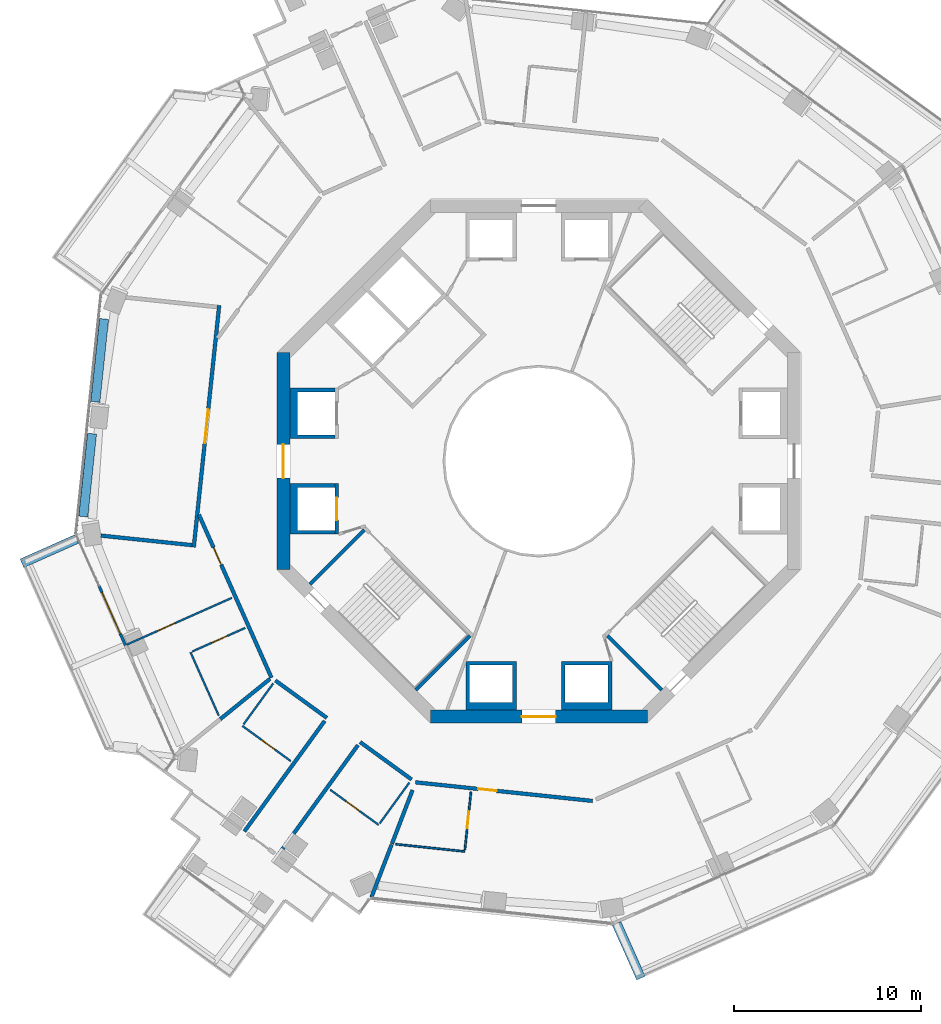
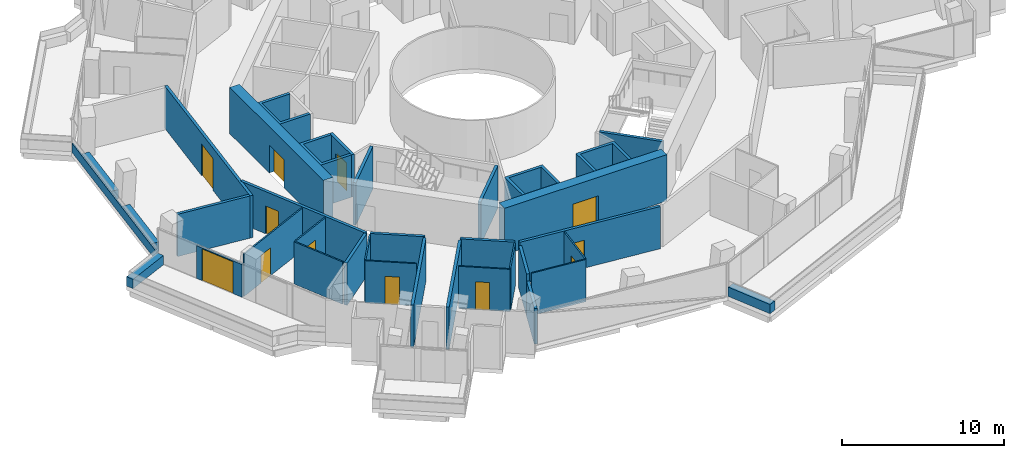
# One storey, part 16 of 23: 36 walls, 12 doors, 12 openings.
"""IFC4 building model written with IfcOpenShell, lengths in metres."""

from ifc_helpers import new_model, si_unit, direction, frame, frame_2d, origin, place, context, subcontext, project, spatial, polyline, rectangle, outline, extrude, material, layer, layer_set, type_object, element, fill, save


model = new_model("IFC4")

# Units and contexts
model_context = context("Model", 3, precision=1e-05, world=origin(), true_north=direction((0.0, 1.0)))
body_context = subcontext(model_context, "Body", "Model", "MODEL_VIEW")
ifc_project = project(units=[si_unit("LENGTHUNIT", "METRE"), si_unit("AREAUNIT", "SQUARE_METRE"), si_unit("VOLUMEUNIT", "CUBIC_METRE"), si_unit("PLANEANGLEUNIT", "RADIAN"), si_unit("MASSUNIT", "GRAM", prefix="KILO")], contexts=[model_context])

# Site, building, storey
site_placement = place(None, origin())
site = spatial("IfcSite", under=ifc_project, at=site_placement, CompositionType="ELEMENT")
building_placement = place(site_placement, origin())
building = spatial("IfcBuilding", under=site, at=building_placement, Name="Verdalira Terraces Hotel", CompositionType="ELEMENT")
storey_placement = place(building_placement, frame((0.0, 0.0, 133.0)))
storey = spatial("IfcBuildingStorey", under=building, at=storey_placement, Name="L31", CompositionType="ELEMENT", Elevation=133.0)

# Walls
ifc_material_1 = material(Name="Concrete C40", Category="concrete")
ifc_layer_1 = layer(ifc_material_1, 0.5)
ifc_layer_set_1 = layer_set([ifc_layer_1], Name="Balcony planter trough with tree")
wall_type_1 = type_object("IfcWallType", Name="Balcony planter trough with tree", PredefinedType="SOLIDWALL", material=ifc_layer_set_1)
for number, where, z_axis, x_axis, name in (
    (1, (-24.704102, -4.157471, 0.0), (0.0, 0.0, 1.0), (-0.913528084, -0.406775663, 0.0), "Balcony planter"),
    (2, (4.157471, -24.704102, 0.0), (0.0, 0.0, 1.0), (0.406775663, -0.913528084, 0.0), "Balcony planter"),
):
    element("IfcWall", number, at=place(storey_placement, frame(where, z_axis=z_axis, x_axis=x_axis)), inside=storey, type_object=wall_type_1, Name=name, PredefinedType="SOLIDWALL", context=body_context, shape_type="SweptSolid", body=[
        extrude(rectangle(XDim=3.198975, YDim=0.5, at=frame_2d((1.599609, 0.0))), origin(), (0.0, 0.0, 1.0), 0.699951),
    ])

# Wall, opening, door
ifc_material_2 = material(Name="Moisture-resistant gypsum board partition")
ifc_layer_2 = layer(ifc_material_2, 0.10009765625)
ifc_layer_set_2 = layer_set([ifc_layer_2], Name="Bathroom partition 100 mm")
wall_type_2 = type_object("IfcWallType", Name="Bathroom partition 100 mm", PredefinedType="PARTITIONING", material=ifc_layer_set_2)
wall_1_placement = place(storey_placement, frame((-16.405762, -7.304199, 0.0), z_axis=(0.0, 0.0, 1.0), x_axis=(-0.913546162, -0.406735062, 0.0)))
wall_1 = element("IfcWall", 3, at=wall_1_placement, inside=storey, type_object=wall_type_2, Name="Bathroom partition", PredefinedType="PARTITIONING", context=body_context, shape_type="SweptSolid", body=[
    extrude(rectangle(XDim=6.150146, YDim=0.100098, at=frame_2d((3.075195, 0.0))), origin(), (0.0, 0.0, 1.0), 3.189941),
])
opening_1_placement = place(wall_1_placement, frame((3.350098, 0.0, 0.0)))
opening_1 = element("IfcOpeningElement", 4, at=opening_1_placement, cuts=wall_1, Name="Opening L31-110", PredefinedType="OPENING", context=body_context, shape_type="SweptSolid", body=[
    extrude(rectangle(XDim=1.0, YDim=2.100098, at=frame_2d((0.5, 1.050049))), frame((0.0, 0.060059, 0.0), z_axis=(0.0, -1.0, 0.0), x_axis=(1.0, 0.0, 0.0)), (0.0, 0.0, 1.0), 0.120117),
])
ifc_material_3 = material(Name="Timber door", Category="wood")
door_type_1 = type_object("IfcDoorType", Name="Suite internal door 1000 x 2100", OperationType="NOTDEFINED", PredefinedType="DOOR", material=ifc_material_3)
door_1_placement = place(opening_1_placement, origin())
door_1 = element("IfcDoor", 5, at=door_1_placement, inside=storey, type_object=door_type_1, Name="Suite internal door 3104", OperationType="SINGLE_SWING_LEFT", OverallHeight=2.10009765625, OverallWidth=1.0, PredefinedType="DOOR", context=body_context, shape_type="SweptSolid", body=[
    extrude(rectangle(XDim=1.0, YDim=2.100098, at=frame_2d((0.5, 1.050049))), frame((0.0, 0.024902, 0.0), z_axis=(0.0, -1.0, 0.0), x_axis=(1.0, 0.0, 0.0)), (0.0, 0.0, 1.0), 0.050049),
])
fill(opening_1, door_1)

# Wall
wall_2_placement = place(storey_placement, frame((-18.614014, -10.212158, 0.0), z_axis=(0.0, 0.0, 1.0), x_axis=(0.406743817, -0.913542263, 0.0)))
element("IfcWall", 6, at=wall_2_placement, inside=storey, type_object=wall_type_2, Name="Bathroom partition", PredefinedType="PARTITIONING", context=body_context, shape_type="SweptSolid", body=[
    extrude(rectangle(XDim=3.704102, YDim=0.100098, at=frame_2d((1.852051, 0.0))), origin(), (0.0, 0.0, 1.0), 3.189941),
])

# Wall, opening, door
wall_3_placement = place(storey_placement, frame((-15.690674, -8.910645, 0.0), z_axis=(0.0, 0.0, 1.0), x_axis=(-0.913564558, -0.40669374, 0.0)))
wall_3 = element("IfcWall", 7, at=wall_3_placement, inside=storey, type_object=wall_type_2, Name="Bathroom partition", PredefinedType="PARTITIONING", context=body_context, shape_type="SweptSolid", body=[
    extrude(rectangle(XDim=3.100098, YDim=0.100098, at=frame_2d((1.550049, 0.0))), origin(), (0.0, 0.0, 1.0), 3.189941),
])
opening_2_placement = place(wall_3_placement, frame((1.050049, 0.0, 0.0)))
opening_2 = element("IfcOpeningElement", 8, at=opening_2_placement, cuts=wall_3, Name="Opening L31-111", PredefinedType="OPENING", context=body_context, shape_type="SweptSolid", body=[
    extrude(rectangle(XDim=0.899902, YDim=2.100098, at=frame_2d((0.449951, 1.050049))), frame((0.0, 0.060059, 0.0), z_axis=(0.0, -1.0, 0.0), x_axis=(1.0, 0.0, 0.0)), (0.0, 0.0, 1.0), 0.120117),
])
ifc_material_4 = material(Name="Timber door", Category="wood")
door_type_2 = type_object("IfcDoorType", Name="Bathroom door 900 x 2100", OperationType="NOTDEFINED", PredefinedType="DOOR", material=ifc_material_4)
door_2_placement = place(opening_2_placement, origin())
door_2 = element("IfcDoor", 9, at=door_2_placement, inside=storey, type_object=door_type_2, Name="Bathroom door 3104", OperationType="SINGLE_SWING_RIGHT", OverallHeight=2.10009765625, OverallWidth=0.89990234375, PredefinedType="DOOR", context=body_context, shape_type="SweptSolid", body=[
    extrude(rectangle(XDim=0.899902, YDim=2.100098, at=frame_2d((0.449951, 1.050049))), frame((0.0, 0.024902, 0.0), z_axis=(0.0, -1.0, 0.0), x_axis=(1.0, 0.0, 0.0)), (0.0, 0.0, 1.0), 0.050049),
])
fill(opening_2, door_2)

# Wall
wall_4_placement = place(storey_placement, frame((-14.196289, -11.883545, 0.0), z_axis=(0.0, 0.0, 1.0), x_axis=(-0.587762999, -0.809033162, 0.0)))
element("IfcWall", 10, at=wall_4_placement, inside=storey, type_object=wall_type_2, Name="Bathroom partition", PredefinedType="PARTITIONING", context=body_context, shape_type="SweptSolid", body=[
    extrude(rectangle(XDim=2.699951, YDim=0.100098, at=frame_2d((1.350098, 0.0))), origin(), (0.0, 0.0, 1.0), 3.189941),
])

# Wall, opening, door
wall_5_placement = place(storey_placement, frame((-15.842041, -14.148682, 0.0), z_axis=(0.0, 0.0, 1.0), x_axis=(0.808990037, -0.587822354, 0.0)))
wall_5 = element("IfcWall", 11, at=wall_5_placement, inside=storey, type_object=wall_type_2, Name="Bathroom partition", PredefinedType="PARTITIONING", context=body_context, shape_type="SweptSolid", body=[
    extrude(rectangle(XDim=3.200195, YDim=0.100098, at=frame_2d((1.600098, 0.0))), origin(), (0.0, 0.0, 1.0), 3.189941),
])
opening_3_placement = place(wall_5_placement, frame((1.25, 0.0, 0.0)))
opening_3 = element("IfcOpeningElement", 12, at=opening_3_placement, cuts=wall_5, Name="Opening L31-115", PredefinedType="OPENING", context=body_context, shape_type="SweptSolid", body=[
    extrude(rectangle(XDim=0.899902, YDim=2.100098, at=frame_2d((0.449951, 1.050049))), frame((0.0, 0.060059, 0.0), z_axis=(0.0, -1.0, 0.0), x_axis=(1.0, 0.0, 0.0)), (0.0, 0.0, 1.0), 0.120117),
])
door_3_placement = place(opening_3_placement, origin())
door_3 = element("IfcDoor", 13, at=door_3_placement, inside=storey, type_object=door_type_2, Name="Bathroom door 3105", OperationType="SINGLE_SWING_LEFT", OverallHeight=2.10009765625, OverallWidth=0.89990234375, PredefinedType="DOOR", context=body_context, shape_type="SweptSolid", body=[
    extrude(rectangle(XDim=0.899902, YDim=2.100098, at=frame_2d((0.449951, 1.050049))), frame((0.0, 0.024902, 0.0), z_axis=(0.0, -1.0, 0.0), x_axis=(1.0, 0.0, 0.0)), (0.0, 0.0, 1.0), 0.050049),
])
fill(opening_3, door_3)

wall_6_placement = place(storey_placement, frame((-11.149658, -17.558105, 0.0), z_axis=(0.0, 0.0, 1.0), x_axis=(0.809026317, -0.58777242, 0.0)))
wall_6 = element("IfcWall", 14, at=wall_6_placement, inside=storey, type_object=wall_type_2, Name="Bathroom partition", PredefinedType="PARTITIONING", context=body_context, shape_type="SweptSolid", body=[
    extrude(rectangle(XDim=3.199951, YDim=0.100098, at=frame_2d((1.600098, 0.0))), origin(), (0.0, 0.0, 1.0), 3.189941),
])
opening_4_placement = place(wall_6_placement, frame((1.050049, 0.0, 0.0)))
opening_4 = element("IfcOpeningElement", 15, at=opening_4_placement, cuts=wall_6, Name="Opening L31-116", PredefinedType="OPENING", context=body_context, shape_type="SweptSolid", body=[
    extrude(rectangle(XDim=0.899902, YDim=2.100098, at=frame_2d((0.449951, 1.050049))), frame((0.0, 0.060059, 0.0), z_axis=(0.0, -1.0, 0.0), x_axis=(1.0, 0.0, 0.0)), (0.0, 0.0, 1.0), 0.120117),
])
door_4_placement = place(opening_4_placement, origin())
door_4 = element("IfcDoor", 16, at=door_4_placement, inside=storey, type_object=door_type_2, Name="Bathroom door 3105", OperationType="SINGLE_SWING_RIGHT", OverallHeight=2.10009765625, OverallWidth=0.89990234375, PredefinedType="DOOR", context=body_context, shape_type="SweptSolid", body=[
    extrude(rectangle(XDim=0.899902, YDim=2.100098, at=frame_2d((0.449951, 1.050049))), frame((0.0, 0.024902, 0.0), z_axis=(0.0, -1.0, 0.0), x_axis=(1.0, 0.0, 0.0)), (0.0, 0.0, 1.0), 0.050049),
])
fill(opening_4, door_4)

# Walls
wall_7_placement = place(storey_placement, frame((-8.502197, -19.35791, 0.0), z_axis=(0.0, 0.0, 1.0), x_axis=(0.587822181, 0.808990163, 0.0)))
element("IfcWall", 17, at=wall_7_placement, inside=storey, type_object=wall_type_2, Name="Bathroom partition", PredefinedType="PARTITIONING", context=body_context, shape_type="SweptSolid", body=[
    extrude(rectangle(XDim=2.699951, YDim=0.100098, at=frame_2d((1.350098, 0.0))), origin(), (0.0, 0.0, 1.0), 3.189941),
])
wall_8_placement = place(storey_placement, frame((-3.960205, -20.858643, 0.0), z_axis=(0.0, 0.0, 1.0), x_axis=(-0.994521332, 0.104533822, 0.0)))
element("IfcWall", 18, at=wall_8_placement, inside=storey, type_object=wall_type_2, Name="Bathroom partition", PredefinedType="PARTITIONING", context=body_context, shape_type="SweptSolid", body=[
    extrude(rectangle(XDim=3.704102, YDim=0.100098, at=frame_2d((1.852051, 0.0))), origin(), (0.0, 0.0, 1.0), 3.189941),
])

# Wall, opening, door
wall_9_placement = place(storey_placement, frame((-3.949951, -20.759277, 0.0), z_axis=(0.0, 0.0, 1.0), x_axis=(0.1045085, 0.994523993, 0.0)))
wall_9 = element("IfcWall", 19, at=wall_9_placement, inside=storey, type_object=wall_type_2, Name="Bathroom partition", PredefinedType="PARTITIONING", context=body_context, shape_type="SweptSolid", body=[
    extrude(rectangle(XDim=3.100098, YDim=0.100098, at=frame_2d((1.550049, 0.0))), origin(), (0.0, 0.0, 1.0), 3.189941),
])
opening_5_placement = place(wall_9_placement, frame((1.149902, 0.0, 0.0)))
opening_5 = element("IfcOpeningElement", 20, at=opening_5_placement, cuts=wall_9, Name="Opening L31-118", PredefinedType="OPENING", context=body_context, shape_type="SweptSolid", body=[
    extrude(rectangle(XDim=0.899902, YDim=2.100098, at=frame_2d((0.449951, 1.050049))), frame((0.0, 0.060059, 0.0), z_axis=(0.0, -1.0, 0.0), x_axis=(1.0, 0.0, 0.0)), (0.0, 0.0, 1.0), 0.120117),
])
door_5_placement = place(opening_5_placement, origin())
door_5 = element("IfcDoor", 21, at=door_5_placement, inside=storey, type_object=door_type_2, Name="Bathroom door 3106", OperationType="SINGLE_SWING_LEFT", OverallHeight=2.10009765625, OverallWidth=0.89990234375, PredefinedType="DOOR", context=body_context, shape_type="SweptSolid", body=[
    extrude(rectangle(XDim=0.899902, YDim=2.100098, at=frame_2d((0.449951, 1.050049))), frame((0.0, 0.024902, 0.0), z_axis=(0.0, -1.0, 0.0), x_axis=(1.0, 0.0, 0.0)), (0.0, 0.0, 1.0), 0.050049),
])
fill(opening_5, door_5)

# Walls
ifc_material_5 = material(Name="Concrete C50", Category="concrete")
ifc_layer_3 = layer(ifc_material_5, 0.199951171875)
ifc_layer_set_3 = layer_set([ifc_layer_3], Name="Core RC wall 200 C50")
wall_type_3 = type_object("IfcWallType", Name="Core RC wall 200 C50", PredefinedType="SOLIDWALL", material=ifc_layer_set_3)
wall_10_placement = place(storey_placement, origin())
element("IfcWall", 22, at=wall_10_placement, inside=storey, type_object=wall_type_3, Name="L31 shaft wall W1", PredefinedType="SOLIDWALL", context=body_context, shape_type="SweptSolid", body=[
    extrude(outline(polyline([(-13.300049, 3.899902), (-10.899902, 3.899902), (-10.899902, 3.699951), (-12.899902, 3.699951), (-12.899902, 1.399902), (-10.899902, 1.399902), (-10.899902, 1.199951), (-13.300049, 1.199951), (-13.300049, 3.899902)])), origin(), (0.0, 0.0, 1.0), 3.189941),
])
wall_11_placement = place(storey_placement, origin())
element("IfcWall", 23, at=wall_11_placement, inside=storey, type_object=wall_type_3, Name="L31 shaft wall W2", PredefinedType="SOLIDWALL", context=body_context, shape_type="SweptSolid", body=[
    extrude(outline(polyline([(-13.300049, -3.899902), (-13.300049, -1.199951), (-10.899902, -1.199951), (-10.899902, -1.399902), (-12.899902, -1.399902), (-12.899902, -3.699951), (-10.899902, -3.699951), (-10.899902, -3.899902), (-13.300049, -3.899902)])), origin(), (0.0, 0.0, 1.0), 3.189941),
])

# Wall, opening, door
wall_12_placement = place(storey_placement, frame((-10.800049, -1.199951, 0.0), z_axis=(0.0, 0.0, 1.0), x_axis=(0.0, -1.0, 0.0)))
wall_12 = element("IfcWall", 24, at=wall_12_placement, inside=storey, type_object=wall_type_3, Name="L31 shaft front wall W2", PredefinedType="SOLIDWALL", context=body_context, shape_type="SweptSolid", body=[
    extrude(rectangle(XDim=2.699951, YDim=0.199951, at=frame_2d((1.350098, 0.0))), origin(), (0.0, 0.0, 1.0), 3.189941),
])
opening_6_placement = place(wall_12_placement, frame((0.75, 0.0, 0.0)))
opening_6 = element("IfcOpeningElement", 25, at=opening_6_placement, cuts=wall_12, Name="Opening LD-L31-806", PredefinedType="OPENING", context=body_context, shape_type="SweptSolid", body=[
    extrude(rectangle(XDim=1.199951, YDim=2.100098, at=frame_2d((0.600098, 1.050049))), frame((0.0, 0.109863, 0.0), z_axis=(0.0, -1.0, 0.0), x_axis=(1.0, 0.0, 0.0)), (0.0, 0.0, 1.0), 0.219971),
])
ifc_material_6 = material(Name="Stainless steel", Category="steel")
door_type_3 = type_object("IfcDoorType", Name="Landing door 1200 x 2100", OperationType="NOTDEFINED", PredefinedType="DOOR", material=ifc_material_6)
door_6_placement = place(opening_6_placement, origin())
door_6 = element("IfcDoor", 26, at=door_6_placement, inside=storey, type_object=door_type_3, Name="Lift landing door LR6 L31", OperationType="DOUBLE_DOOR_SLIDING", OverallHeight=2.10009765625, OverallWidth=1.199951171875, PredefinedType="DOOR", context=body_context, shape_type="SweptSolid", body=[
    extrude(rectangle(XDim=1.199951, YDim=2.100098, at=frame_2d((0.600098, 1.050049))), frame((0.0, 0.024902, 0.0), z_axis=(0.0, -1.0, 0.0), x_axis=(1.0, 0.0, 0.0)), (0.0, 0.0, 1.0), 0.050049),
])
fill(opening_6, door_6)

# Walls
wall_13_placement = place(storey_placement, origin())
element("IfcWall", 27, at=wall_13_placement, inside=storey, type_object=wall_type_3, Name="L31 shaft wall S1", PredefinedType="SOLIDWALL", context=body_context, shape_type="SweptSolid", body=[
    extrude(outline(polyline([(-1.199951, -13.300049), (-3.899902, -13.300049), (-3.899902, -10.699951), (-1.199951, -10.699951), (-1.199951, -13.300049)]), holes=[polyline([(-3.699951, -10.899902), (-3.699951, -12.899902), (-1.399902, -12.899902), (-1.399902, -10.899902), (-3.699951, -10.899902)])]), origin(), (0.0, 0.0, 1.0), 3.189941),
])
wall_14_placement = place(storey_placement, origin())
element("IfcWall", 28, at=wall_14_placement, inside=storey, type_object=wall_type_3, Name="L31 shaft wall S2", PredefinedType="SOLIDWALL", context=body_context, shape_type="SweptSolid", body=[
    extrude(outline(polyline([(3.899902, -10.699951), (3.899902, -13.300049), (1.199951, -13.300049), (1.199951, -10.699951), (3.899902, -10.699951)]), holes=[polyline([(1.399902, -12.899902), (3.699951, -12.899902), (3.699951, -10.899902), (1.399902, -10.899902), (1.399902, -12.899902)])]), origin(), (0.0, 0.0, 1.0), 3.189941),
])
for number, where, z_axis, x_axis, name in (
    (29, (-9.33374, -3.677002, 0.0), (0.0, 0.0, 1.0), (-0.707106781, -0.707106781, 0.0), "L31 stair ST2 end wall 1"),
    (30, (-3.677002, -9.33374, 0.0), (0.0, 0.0, 1.0), (-0.707106781, -0.707106781, 0.0), "L31 stair ST2 end wall 2"),
    (31, (3.677002, -9.33374, 0.0), (0.0, 0.0, 1.0), (0.707106781, -0.707106781, 0.0), "L31 stair ST3 end wall 1"),
):
    element("IfcWall", number, at=place(storey_placement, frame(where, z_axis=z_axis, x_axis=x_axis)), inside=storey, type_object=wall_type_3, Name=name, PredefinedType="SOLIDWALL", context=body_context, shape_type="SweptSolid", body=[
        extrude(rectangle(XDim=4.100098, YDim=0.199951, at=frame_2d((2.050049, 0.0))), origin(), (0.0, 0.0, 1.0), 3.189941),
    ])

# Wall, opening, door
ifc_material_7 = material(Name="Concrete C60", Category="concrete")
ifc_layer_4 = layer(ifc_material_7, 0.699951171875)
ifc_layer_set_4 = layer_set([ifc_layer_4], Name="Core wall 700 C60")
wall_type_4 = type_object("IfcWallType", Name="Core wall 700 C60", PredefinedType="SHEAR", material=ifc_layer_set_4)
wall_15_placement = place(storey_placement, frame((-13.649902, 5.799072, 0.0), z_axis=(0.0, 0.0, 1.0), x_axis=(0.0, -1.0, 0.0)))
wall_15 = element("IfcWall", 32, at=wall_15_placement, inside=storey, type_object=wall_type_4, Name="Core wall CW-L31-5", PredefinedType="SHEAR", context=body_context, shape_type="SweptSolid", body=[
    extrude(rectangle(XDim=11.598145, YDim=0.699951, at=frame_2d((5.799072, 0.0))), origin(), (0.0, 0.0, 1.0), 3.5),
])
opening_7_placement = place(wall_15_placement, frame((4.898926, 0.0, 0.0)))
opening_7 = element("IfcOpeningElement", 33, at=opening_7_placement, cuts=wall_15, Name="Opening L31-814", PredefinedType="OPENING", context=body_context, shape_type="SweptSolid", body=[
    extrude(rectangle(XDim=1.800049, YDim=2.100098, at=frame_2d((0.899902, 1.050049))), frame((0.0, 0.359863, 0.0), z_axis=(0.0, -1.0, 0.0), x_axis=(1.0, 0.0, 0.0)), (0.0, 0.0, 1.0), 0.719971),
])
ifc_material_8 = material(Name="Steel fire door", Category="steel")
door_type_4 = type_object("IfcDoorType", Name="Core entry door pair 1800 x 2100", OperationType="NOTDEFINED", PredefinedType="DOOR", material=ifc_material_8)
door_7_placement = place(opening_7_placement, origin())
door_7 = element("IfcDoor", 34, at=door_7_placement, inside=storey, type_object=door_type_4, Name="Core entry door L31 4", OperationType="DOUBLE_DOOR_SINGLE_SWING", OverallHeight=2.10009765625, OverallWidth=1.800048828125, PredefinedType="DOOR", context=body_context, shape_type="SweptSolid", body=[
    extrude(rectangle(XDim=1.800049, YDim=2.100098, at=frame_2d((0.899902, 1.050049))), frame((0.0, 0.024902, 0.0), z_axis=(0.0, -1.0, 0.0), x_axis=(1.0, 0.0, 0.0)), (0.0, 0.0, 1.0), 0.050049),
])
fill(opening_7, door_7)

wall_16_placement = place(storey_placement, frame((-5.799072, -13.649902, 0.0), z_axis=(0.0, 0.0, 1.0), x_axis=(1.0, 0.0, 0.0)))
wall_16 = element("IfcWall", 35, at=wall_16_placement, inside=storey, type_object=wall_type_4, Name="Core wall CW-L31-7", PredefinedType="SHEAR", context=body_context, shape_type="SweptSolid", body=[
    extrude(rectangle(XDim=11.598145, YDim=0.699951, at=frame_2d((5.799072, 0.0))), origin(), (0.0, 0.0, 1.0), 3.5),
])
opening_8_placement = place(wall_16_placement, frame((4.898926, 0.0, 0.0)))
opening_8 = element("IfcOpeningElement", 36, at=opening_8_placement, cuts=wall_16, Name="Opening L31-815", PredefinedType="OPENING", context=body_context, shape_type="SweptSolid", body=[
    extrude(rectangle(XDim=1.800049, YDim=2.100098, at=frame_2d((0.899902, 1.050049))), frame((0.0, 0.359863, 0.0), z_axis=(0.0, -1.0, 0.0), x_axis=(1.0, 0.0, 0.0)), (0.0, 0.0, 1.0), 0.719971),
])
door_8_placement = place(opening_8_placement, origin())
door_8 = element("IfcDoor", 37, at=door_8_placement, inside=storey, type_object=door_type_4, Name="Core entry door L31 6", OperationType="DOUBLE_DOOR_SINGLE_SWING", OverallHeight=2.10009765625, OverallWidth=1.800048828125, PredefinedType="DOOR", context=body_context, shape_type="SweptSolid", body=[
    extrude(rectangle(XDim=1.800049, YDim=2.100098, at=frame_2d((0.899902, 1.050049))), frame((0.0, 0.024902, 0.0), z_axis=(0.0, -1.0, 0.0), x_axis=(1.0, 0.0, 0.0)), (0.0, 0.0, 1.0), 0.050049),
])
fill(opening_8, door_8)

# Walls
ifc_material_9 = material(Name="Fire-rated gypsum board wall")
ifc_layer_5 = layer(ifc_material_9, 0.199951171875)
ifc_layer_set_5 = layer_set([ifc_layer_5], Name="Demising wall 200 mm")
wall_type_5 = type_object("IfcWallType", Name="Demising wall 200 mm", PredefinedType="SOLIDWALL", material=ifc_layer_set_5)
wall_17_placement = place(storey_placement, frame((-14.368164, -11.63501, 0.0), z_axis=(0.0, 0.0, 1.0), x_axis=(-0.777125039, -0.629346227, 0.0)))
element("IfcWall", 38, at=wall_17_placement, inside=storey, type_object=wall_type_5, Name="Demising wall", PredefinedType="SOLIDWALL", context=body_context, shape_type="SweptSolid", body=[
    extrude(rectangle(XDim=3.416504, YDim=0.199951, at=frame_2d((1.708252, 0.0))), origin(), (0.0, 0.0, 1.0), 3.189941),
])
wall_18_placement = place(storey_placement, frame((-6.748779, -17.581299, 0.0), z_axis=(0.0, 0.0, 1.0), x_axis=(-0.358361758, -0.933582803, 0.0)))
element("IfcWall", 39, at=wall_18_placement, inside=storey, type_object=wall_type_5, Name="Demising wall", PredefinedType="SOLIDWALL", context=body_context, shape_type="SweptSolid", body=[
    extrude(rectangle(XDim=3.074463, YDim=0.199951, at=frame_2d((1.537109, 0.0))), origin(), (0.0, 0.0, 1.0), 3.189941),
])
ifc_material_10 = material(Name="Fire-rated gypsum board wall")
ifc_layer_6 = layer(ifc_material_10, 0.199951171875)
ifc_layer_set_6 = layer_set([ifc_layer_6], Name="Demising wall 200 mm to beam soffit")
wall_type_6 = type_object("IfcWallType", Name="Demising wall 200 mm to beam soffit", PredefinedType="SOLIDWALL", material=ifc_layer_set_6)
wall_19_placement = place(storey_placement, frame((-7.867188, -20.494629, 0.0), z_axis=(0.0, 0.0, 1.0), x_axis=(-0.358354215, -0.933585699, 0.0)))
element("IfcWall", 40, at=wall_19_placement, inside=storey, type_object=wall_type_6, Name="Demising wall", PredefinedType="SOLIDWALL", context=body_context, shape_type="SweptSolid", body=[
    extrude(rectangle(XDim=3.01123, YDim=0.199951, at=frame_2d((1.505615, 0.0))), origin(), (0.0, 0.0, 1.0), 2.689941),
])

# Wall, opening, door
ifc_material_11 = material(Name="Fire-rated gypsum board wall")
ifc_layer_7 = layer(ifc_material_11, 0.199951171875)
ifc_layer_set_7 = layer_set([ifc_layer_7], Name="Guest corridor wall 200 mm")
wall_type_7 = type_object("IfcWallType", Name="Guest corridor wall 200 mm", PredefinedType="SOLIDWALL", material=ifc_layer_set_7)
wall_20_placement = place(storey_placement, frame((-14.287598, -11.569824, 0.0), z_axis=(0.0, 0.0, 1.0), x_axis=(-0.40673695, 0.913545321, 0.0)))
wall_20 = element("IfcWall", 41, at=wall_20_placement, inside=storey, type_object=wall_type_7, Name="Guest corridor wall", PredefinedType="SOLIDWALL", context=body_context, shape_type="SweptSolid", body=[
    extrude(rectangle(XDim=9.536621, YDim=0.199951, at=frame_2d((4.768311, 0.0))), origin(), (0.0, 0.0, 1.0), 3.189941),
])
opening_9_placement = place(wall_20_placement, frame((6.608398, 0.0, 0.0)))
opening_9 = element("IfcOpeningElement", 42, at=opening_9_placement, cuts=wall_20, Name="Opening L31-109", PredefinedType="OPENING", context=body_context, shape_type="SweptSolid", body=[
    extrude(rectangle(XDim=1.0, YDim=2.100098, at=frame_2d((0.5, 1.050049))), frame((0.0, 0.109863, 0.0), z_axis=(0.0, -1.0, 0.0), x_axis=(1.0, 0.0, 0.0)), (0.0, 0.0, 1.0), 0.219971),
])
ifc_material_12 = material(Name="Timber fire door", Category="wood")
door_type_5 = type_object("IfcDoorType", Name="Guest entry door 1000 x 2100", OperationType="NOTDEFINED", PredefinedType="DOOR", material=ifc_material_12)
door_9_placement = place(opening_9_placement, origin())
door_9 = element("IfcDoor", 43, at=door_9_placement, inside=storey, type_object=door_type_5, Name="Guest entry door 3104", OperationType="SINGLE_SWING_LEFT", OverallHeight=2.10009765625, OverallWidth=1.0, PredefinedType="DOOR", context=body_context, shape_type="SweptSolid", body=[
    extrude(rectangle(XDim=1.0, YDim=2.100098, at=frame_2d((0.5, 1.050049))), frame((0.0, 0.024902, 0.0), z_axis=(0.0, -1.0, 0.0), x_axis=(1.0, 0.0, 0.0)), (0.0, 0.0, 1.0), 0.050049),
])
fill(opening_9, door_9)

# Walls
wall_21_placement = place(storey_placement, frame((-11.445557, -13.88208, 0.0), z_axis=(0.0, 0.0, 1.0), x_axis=(-0.587783857, -0.809018008, 0.0)))
element("IfcWall", 44, at=wall_21_placement, inside=storey, type_object=wall_type_7, Name="Guest corridor wall", PredefinedType="SOLIDWALL", context=body_context, shape_type="SweptSolid", body=[
    extrude(rectangle(XDim=7.299805, YDim=0.199951, at=frame_2d((3.649902, 0.0))), origin(), (0.0, 0.0, 1.0), 3.189941),
])
wall_22_placement = place(storey_placement, frame((-14.078613, -11.72168, 0.0), z_axis=(0.0, 0.0, 1.0), x_axis=(0.809015446, -0.587787383, 0.0)))
element("IfcWall", 45, at=wall_22_placement, inside=storey, type_object=wall_type_7, Name="Guest corridor wall", PredefinedType="SOLIDWALL", context=body_context, shape_type="SweptSolid", body=[
    extrude(rectangle(XDim=3.400146, YDim=0.199951, at=frame_2d((1.700195, 0.0))), origin(), (0.0, 0.0, 1.0), 3.189941),
])
wall_23_placement = place(storey_placement, frame((-13.956543, -21.081055, 0.0), z_axis=(0.0, 0.0, 1.0), x_axis=(0.587783857, 0.809018008, 0.0)))
element("IfcWall", 46, at=wall_23_placement, inside=storey, type_object=wall_type_7, Name="Guest corridor wall", PredefinedType="SOLIDWALL", context=body_context, shape_type="SweptSolid", body=[
    extrude(rectangle(XDim=7.299805, YDim=0.199951, at=frame_2d((3.649902, 0.0))), origin(), (0.0, 0.0, 1.0), 3.189941),
])
wall_24_placement = place(storey_placement, frame((-9.548096, -15.013428, 0.0), z_axis=(0.0, 0.0, 1.0), x_axis=(0.809024784, -0.58777453, 0.0)))
element("IfcWall", 47, at=wall_24_placement, inside=storey, type_object=wall_type_7, Name="Guest corridor wall", PredefinedType="SOLIDWALL", context=body_context, shape_type="SweptSolid", body=[
    extrude(rectangle(XDim=3.399658, YDim=0.199951, at=frame_2d((1.699707, 0.0))), origin(), (0.0, 0.0, 1.0), 3.189941),
])

# Wall, opening, door
wall_25_placement = place(storey_placement, frame((2.875488, -18.158447, 0.0), z_axis=(0.0, 0.0, 1.0), x_axis=(-0.99452259, 0.104521851, 0.0)))
wall_25 = element("IfcWall", 48, at=wall_25_placement, inside=storey, type_object=wall_type_7, Name="Guest corridor wall", PredefinedType="SOLIDWALL", context=body_context, shape_type="SweptSolid", body=[
    extrude(rectangle(XDim=9.515869, YDim=0.199951, at=frame_2d((4.757812, 0.0))), origin(), (0.0, 0.0, 1.0), 3.189941),
])
opening_10_placement = place(wall_25_placement, frame((5.149902, 0.0, 0.0)))
opening_10 = element("IfcOpeningElement", 49, at=opening_10_placement, cuts=wall_25, Name="Opening L31-117", PredefinedType="OPENING", context=body_context, shape_type="SweptSolid", body=[
    extrude(rectangle(XDim=1.0, YDim=2.100098, at=frame_2d((0.5, 1.050049))), frame((0.0, 0.109863, 0.0), z_axis=(0.0, -1.0, 0.0), x_axis=(1.0, 0.0, 0.0)), (0.0, 0.0, 1.0), 0.219971),
])
door_10_placement = place(opening_10_placement, origin())
door_10 = element("IfcDoor", 50, at=door_10_placement, inside=storey, type_object=door_type_5, Name="Guest entry door 3106", OperationType="SINGLE_SWING_LEFT", OverallHeight=2.10009765625, OverallWidth=1.0, PredefinedType="DOOR", context=body_context, shape_type="SweptSolid", body=[
    extrude(rectangle(XDim=1.0, YDim=2.100098, at=frame_2d((0.5, 1.050049))), frame((0.0, 0.024902, 0.0), z_axis=(0.0, -1.0, 0.0), x_axis=(1.0, 0.0, 0.0)), (0.0, 0.0, 1.0), 0.050049),
])
fill(opening_10, door_10)

ifc_material_13 = material(Name="Terracotta cladding", Category="masonry")
ifc_layer_8 = layer(ifc_material_13, 0.199951171875)
ifc_layer_set_8 = layer_set([ifc_layer_8], Name="Loggia back wall 200")
wall_type_8 = type_object("IfcWallType", Name="Loggia back wall 200", PredefinedType="SOLIDWALL", material=ifc_layer_set_8)
wall_26_placement = place(storey_placement, frame((-18.439941, -4.597656, 0.0), z_axis=(0.0, 0.0, 1.0), x_axis=(0.104530323, 0.9945217, 0.0)))
wall_26 = element("IfcWall", 51, at=wall_26_placement, inside=storey, type_object=wall_type_8, Name="Loggia back wall", PredefinedType="SOLIDWALL", context=body_context, shape_type="SweptSolid", body=[
    extrude(rectangle(XDim=13.0, YDim=0.199951, at=frame_2d((6.5, 0.0))), origin(), (0.0, 0.0, 1.0), 3.189941),
])
opening_11_placement = place(wall_26_placement, frame((5.600098, 0.0, 0.0)))
opening_11 = element("IfcOpeningElement", 52, at=opening_11_placement, cuts=wall_26, Name="Opening L31-L01", PredefinedType="OPENING", context=body_context, shape_type="SweptSolid", body=[
    extrude(rectangle(XDim=1.800049, YDim=2.399902, at=frame_2d((0.899902, 1.199951))), frame((0.0, 0.109863, 0.0), z_axis=(0.0, -1.0, 0.0), x_axis=(1.0, 0.0, 0.0)), (0.0, 0.0, 1.0), 0.219971),
])
ifc_material_14 = material(Name="Clear glass", Category="glass")
door_type_6 = type_object("IfcDoorType", Name="Garden double door 1800x2400", OperationType="NOTDEFINED", PredefinedType="DOOR", material=ifc_material_14)
door_11_placement = place(opening_11_placement, origin())
door_11 = element("IfcDoor", 53, at=door_11_placement, inside=storey, type_object=door_type_6, Name="Loggia double door", OperationType="DOUBLE_DOOR_SINGLE_SWING", OverallHeight=2.39990234375, OverallWidth=1.800048828125, PredefinedType="DOOR", context=body_context, shape_type="SweptSolid", body=[
    extrude(rectangle(XDim=1.800049, YDim=2.399902, at=frame_2d((0.899902, 1.199951))), frame((0.0, 0.024902, 0.0), z_axis=(0.0, -1.0, 0.0), x_axis=(1.0, 0.0, 0.0)), (0.0, 0.0, 1.0), 0.050049),
])
fill(opening_11, door_11)

# Walls
wall_27_placement = place(storey_placement, frame((-23.406006, -3.975098, 0.0), z_axis=(0.0, 0.0, 1.0), x_axis=(0.994519629, -0.104550021, 0.0)))
element("IfcWall", 54, at=wall_27_placement, inside=storey, type_object=wall_type_8, Name="Loggia side wall", PredefinedType="SOLIDWALL", context=body_context, shape_type="SweptSolid", body=[
    extrude(rectangle(XDim=4.903809, YDim=0.199951, at=frame_2d((2.451904, 0.0))), origin(), (0.0, 0.0, 1.0), 3.189941),
])
ifc_material_15 = material(Name="Concrete C40", Category="concrete")
ifc_layer_9 = layer(ifc_material_15, 0.5)
ifc_layer_set_9 = layer_set([ifc_layer_9], Name="Loggia planter trough with tree")
wall_type_9 = type_object("IfcWallType", Name="Loggia planter trough with tree", PredefinedType="SOLIDWALL", material=ifc_layer_set_9)
wall_28_placement = place(storey_placement, frame((-23.240967, 7.603027, 0.0), z_axis=(0.0, 0.0, 1.0), x_axis=(-0.1045137, -0.994523447, 0.0)))
element("IfcWall", 55, at=wall_28_placement, inside=storey, type_object=wall_type_9, Name="Loggia planter", PredefinedType="SOLIDWALL", context=body_context, shape_type="SweptSolid", body=[
    extrude(rectangle(XDim=4.457031, YDim=0.5, at=frame_2d((2.228516, 0.0))), origin(), (0.0, 0.0, 1.0), 0.699951),
])
wall_29_placement = place(storey_placement, frame((-23.885498, 1.469238, 0.0), z_axis=(0.0, 0.0, 1.0), x_axis=(-0.104527854, -0.994521959, 0.0)))
element("IfcWall", 56, at=wall_29_placement, inside=storey, type_object=wall_type_9, Name="Loggia planter", PredefinedType="SOLIDWALL", context=body_context, shape_type="SweptSolid", body=[
    extrude(rectangle(XDim=4.454102, YDim=0.5, at=frame_2d((2.227051, 0.0))), origin(), (0.0, 0.0, 1.0), 0.699951),
])
ifc_material_16 = material(Name="Concrete C40", Category="concrete")
ifc_layer_10 = layer(ifc_material_16, 0.10009765625)
ifc_layer_set_10 = layer_set([ifc_layer_10], Name="Loggia upstand 100")
wall_type_10 = type_object("IfcWallType", Name="Loggia upstand 100", PredefinedType="SOLIDWALL", material=ifc_layer_set_10)
wall_30_placement = place(storey_placement, frame((-23.404541, 8.915283, 0.0), z_axis=(0.0, 0.0, 1.0), x_axis=(-0.104538298, -0.994520862, 0.0)))
element("IfcWall", 57, at=wall_30_placement, inside=storey, type_object=wall_type_10, Name="Loggia upstand", PredefinedType="SOLIDWALL", context=body_context, shape_type="SweptSolid", body=[
    extrude(rectangle(XDim=12.840088, YDim=0.100098, at=frame_2d((6.419922, 0.0))), origin(), (0.0, 0.0, 1.0), 0.699951),
])

# Wall, opening, door
ifc_material_17 = material(Name="Terracotta cladding", Category="masonry")
ifc_layer_11 = layer(ifc_material_17, 0.14990234375)
ifc_layer_set_11 = layer_set([ifc_layer_11], Name="Terracotta door pier 150")
wall_type_11 = type_object("IfcWallType", Name="Terracotta door pier 150", PredefinedType="SOLIDWALL", material=ifc_layer_set_11)
wall_31_placement = place(storey_placement, frame((-23.505859, -6.661621, 0.0), z_axis=(0.0, 0.0, 1.0), x_axis=(0.406718549, -0.913553514, 0.0)))
wall_31 = element("IfcWall", 58, at=wall_31_placement, inside=storey, type_object=wall_type_11, Name="Terracotta door pier", PredefinedType="SOLIDWALL", context=body_context, shape_type="SweptSolid", body=[
    extrude(rectangle(XDim=3.474854, YDim=0.149902, at=frame_2d((1.737305, 0.0))), origin(), (0.0, 0.0, 1.0), 2.475098),
])
opening_12_placement = place(wall_31_placement, frame((0.399902, 0.0, 0.0)))
opening_12 = element("IfcOpeningElement", 59, at=opening_12_placement, cuts=wall_31, Name="Opening L31-B04", PredefinedType="OPENING", context=body_context, shape_type="SweptSolid", body=[
    extrude(rectangle(XDim=2.399902, YDim=2.399902, at=frame_2d((1.199951, 1.199951))), frame((0.0, 0.084961, 0.0), z_axis=(0.0, -1.0, 0.0), x_axis=(1.0, 0.0, 0.0)), (0.0, 0.0, 1.0), 0.169922),
])
ifc_material_18 = material(Name="Clear glass", Category="glass")
door_type_7 = type_object("IfcDoorType", Name="Balcony sliding door 2400x2400", OperationType="NOTDEFINED", PredefinedType="DOOR", material=ifc_material_18)
door_12_placement = place(opening_12_placement, origin())
door_12 = element("IfcDoor", 60, at=door_12_placement, inside=storey, type_object=door_type_7, Name="Balcony sliding door", OperationType="SLIDING_TO_RIGHT", OverallHeight=2.39990234375, OverallWidth=2.39990234375, PredefinedType="DOOR", context=body_context, shape_type="SweptSolid", body=[
    extrude(rectangle(XDim=2.399902, YDim=2.399902, at=frame_2d((1.199951, 1.199951))), frame((0.0, 0.024902, 0.0), z_axis=(0.0, -1.0, 0.0), x_axis=(1.0, 0.0, 0.0)), (0.0, 0.0, 1.0), 0.050049),
])
fill(opening_12, door_12)

save(model, "model.ifc")
